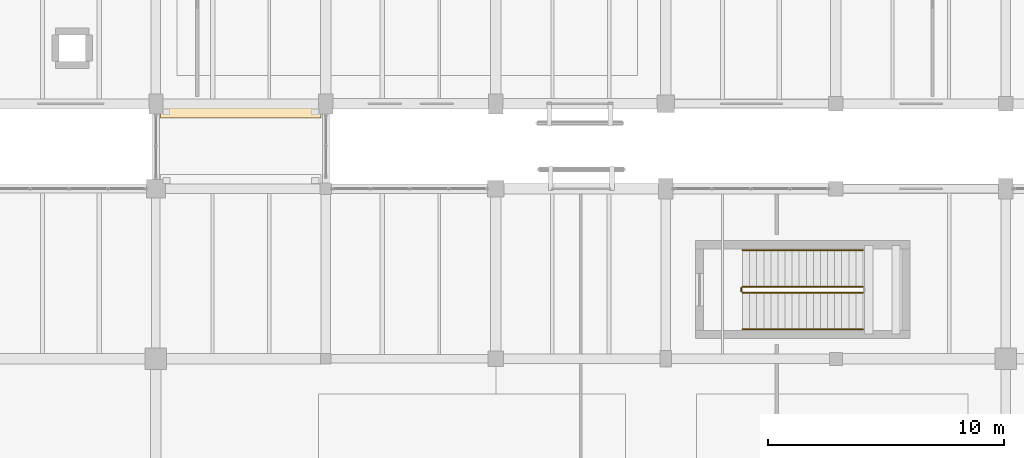
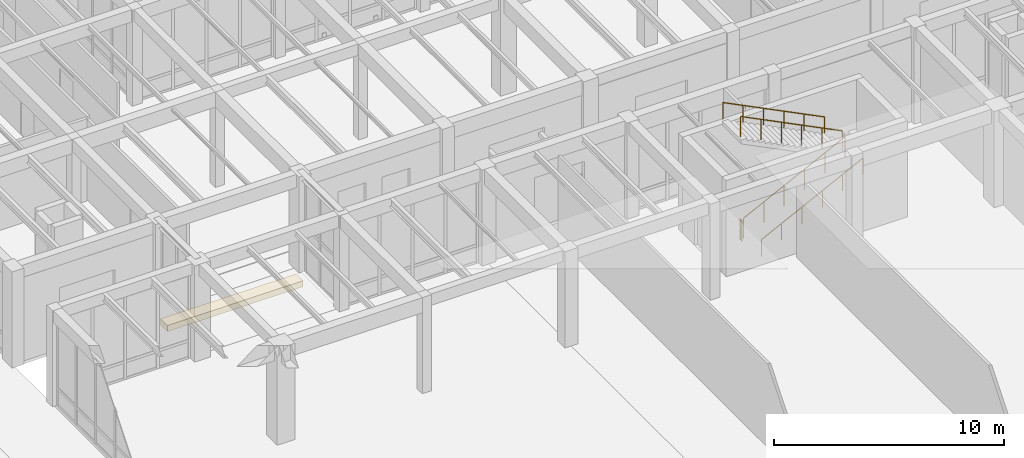
# One storey, part 162 of 169: 5 railings, 1 covering.
"""IFC4 building model written with IfcOpenShell, lengths in metres."""

import ifcopenshell
import ifcopenshell.guid

model = None  # the IFC model being written
_history = None  # IfcOwnerHistory: only IFC2X3 demands one
_inside = {}  # id of a spatial element -> (the spatial element, [elements in it])
_under = {}  # id of a project, library or spatial element -> (it, [spatial elements below it])
_declared = {}  # id of a project -> (the project, [libraries it declares])
_typed = {}  # id of a type object -> (the type object, [elements of that type])
_made_of = {}  # id of a material, layer set ... -> (it, [elements and type objects made of it])


def new_model(schema):
    """Start an empty IFC model of exactly this schema.

    Asked for "IFC4X3", IfcOpenShell would pick the latest addendum, in which some entities
    have other attributes; the version numbers below select the first issue.
    IFC2X3 requires an IfcOwnerHistory on every rooted entity: one is made here for all.
    """
    global model, _history
    if schema == "IFC4X3":
        model = ifcopenshell.file(schema_version=(4, 3, 0, 0))
    else:
        model = ifcopenshell.file(schema=schema)
    _inside.clear()
    _under.clear()
    _declared.clear()
    _typed.clear()
    _made_of.clear()
    _history = None
    if model.schema == "IFC2X3":
        org = make("IfcOrganization", Name="unknown")
        user = make(
            "IfcPersonAndOrganization",
            ThePerson=make("IfcPerson", FamilyName="unknown"),
            TheOrganization=org,
        )
        app = make(
            "IfcApplication",
            ApplicationDeveloper=org,
            Version="unknown",
            ApplicationFullName="unknown",
            ApplicationIdentifier="unknown",
        )
        _history = make(
            "IfcOwnerHistory",
            OwningUser=user,
            OwningApplication=app,
            ChangeAction="ADDED",
            CreationDate=0,
        )
    return model


def make(cls, **values):
    """One entity of the class cls with the attributes given. An attribute that is None is left unset."""
    return model.create_entity(
        cls, **{name: value for name, value in values.items() if value is not None}
    )


def rooted(cls, **values):
    """An entity with a GlobalId (a new one), such as an element, a storey or a relation."""
    return make(cls, GlobalId=ifcopenshell.guid.new(), OwnerHistory=_history, **values)


def si_unit(unit_type, name, prefix=None):
    """IfcSIUnit, for example si_unit("LENGTHUNIT", "METRE", prefix="MILLI")."""
    return make("IfcSIUnit", UnitType=unit_type, Prefix=prefix, Name=name)


def assignment(units):
    """IfcUnitAssignment: the units of a project."""
    return None if units is None else make("IfcUnitAssignment", Units=units)


def point(xyz):
    """IfcCartesianPoint."""
    return None if xyz is None else make("IfcCartesianPoint", Coordinates=xyz)


def direction(xyz):
    """IfcDirection."""
    return None if xyz is None else make("IfcDirection", DirectionRatios=xyz)


def frame(location, z_axis=None, x_axis=None):
    """IfcAxis2Placement3D, a coordinate frame: its origin and axes. An axis left out is left unset."""
    return make(
        "IfcAxis2Placement3D",
        Location=point(location),
        Axis=direction(z_axis),
        RefDirection=direction(x_axis),
    )


def frame_2d(location, x_axis=None):
    """IfcAxis2Placement2D, a coordinate frame in the plane: its origin and x axis."""
    return make(
        "IfcAxis2Placement2D", Location=point(location), RefDirection=direction(x_axis)
    )


def origin():
    """The frame at (0, 0, 0) with its axes left unset."""
    return frame((0.0, 0.0, 0.0))


def origin_2d():
    """The frame at (0, 0) in the plane with its x axis left unset."""
    return frame_2d((0.0, 0.0))


def place(relative_to, where):
    """IfcLocalPlacement: puts the frame where relative to a parent placement (None: the world)."""
    return make(
        "IfcLocalPlacement", PlacementRelTo=relative_to, RelativePlacement=where
    )


def context(
    kind, dimensions, precision=None, world=None, true_north=None, identifier=None
):
    """IfcGeometricRepresentationContext, for example the 3D "Model" context."""
    return make(
        "IfcGeometricRepresentationContext",
        ContextIdentifier=identifier,
        ContextType=kind,
        CoordinateSpaceDimension=dimensions,
        Precision=precision,
        WorldCoordinateSystem=world,
        TrueNorth=true_north,
    )


def subcontext(parent, identifier, kind, view, scale=None):
    """IfcGeometricRepresentationSubContext, for example "Body" below "Model"."""
    return make(
        "IfcGeometricRepresentationSubContext",
        ContextIdentifier=identifier,
        ContextType=kind,
        ParentContext=parent,
        TargetScale=scale,
        TargetView=view,
    )


def project(units=None, contexts=None):
    """IfcProject with its units and contexts."""
    return rooted(
        "IfcProject",
        Name="project",
        RepresentationContexts=contexts,
        UnitsInContext=assignment(units),
    )


def spatial(cls, under=None, at=None, **own):
    """A site, building, storey or space (cls), placed at a placement, below another one or the project."""
    s = rooted(cls, ObjectPlacement=at, **own)
    if under is not None:
        _under.setdefault(under.id(), (under, []))[1].append(s)
    return s


def polyline(points):
    """IfcPolyline through the points."""
    return make("IfcPolyline", Points=[point(p) for p in points])


def profile(cls, at=None, kind="AREA", **sizes):
    """A parametric profile (cls). Its sizes go by their IFC names, for example OverallWidth=200.0."""
    return make(cls, ProfileType=kind, Position=at, **sizes)


def circle(**sizes):
    """IfcCircleProfileDef."""
    return profile("IfcCircleProfileDef", **sizes)


def outline(outer, holes=None, kind="AREA"):
    """IfcArbitraryClosedProfileDef: a profile drawn as a closed curve; with holes, ...WithVoids."""
    if holes is None:
        return make("IfcArbitraryClosedProfileDef", ProfileType=kind, OuterCurve=outer)
    return make(
        "IfcArbitraryProfileDefWithVoids",
        ProfileType=kind,
        OuterCurve=outer,
        InnerCurves=holes,
    )


def extrude(swept, where, along, depth):
    """IfcExtrudedAreaSolid: the profile swept, set in the frame where, extruded along a direction by depth."""
    return make(
        "IfcExtrudedAreaSolid",
        SweptArea=swept,
        Position=where,
        ExtrudedDirection=direction(along),
        Depth=depth,
    )


def shape(context_of_items, identifier, shape_type, items):
    """IfcShapeRepresentation: the items that make up one representation, for example the "Body"."""
    return make(
        "IfcShapeRepresentation",
        ContextOfItems=context_of_items,
        RepresentationIdentifier=identifier,
        RepresentationType=shape_type,
        Items=items,
    )


def material(Name=None, Category=None):
    """IfcMaterial."""
    return make("IfcMaterial", Name=Name, Category=Category)


def layer(
    of_material, thickness, ventilated=None, Name=None, Category=None, Priority=None
):
    """IfcMaterialLayer: one layer of a wall or slab, of a material (None: an air gap)."""
    return make(
        "IfcMaterialLayer",
        Material=of_material,
        LayerThickness=thickness,
        IsVentilated=ventilated,
        Name=Name,
        Category=Category,
        Priority=Priority,
    )


def layer_set(layers, Name=None):
    """IfcMaterialLayerSet."""
    return make("IfcMaterialLayerSet", MaterialLayers=layers, LayerSetName=Name)


def made_of(thing, what):
    """Note that an element or type object is made of a material, layer set ...; save() writes the relation."""
    if what is not None:
        _made_of.setdefault(what.id(), (what, []))[1].append(thing)
    return thing


def type_object(cls, material=None, **own):
    """A type object (cls), such as IfcWallType, which elements share."""
    return made_of(rooted(cls, **own), material)


def element(
    cls,
    number,
    at=None,
    inside=None,
    cuts=None,
    type_object=None,
    material=None,
    context=None,
    identifier="Body",
    shape_type=None,
    held_by="IfcProductDefinitionShape",
    body=None,
    shapes=None,
    **own,
):
    """One element of the class cls, such as IfcWall. Its Tag is "e" and its number.

    at: its placement. inside: the storey or other place that contains it. cuts: it is an
    opening in that element (IfcRelVoidsElement). A single representation is given by context,
    identifier, shape_type and body (its items); several are given by shapes. held_by: the class
    of the entity that holds the representations. save() writes the other relations.
    """
    e = rooted(cls, Tag="e%d" % number, ObjectPlacement=at, **own)
    if body is not None:
        shapes = [shape(context, identifier, shape_type, body)]
    if shapes is not None:
        e.Representation = make(held_by, Representations=shapes)
    if inside is not None:
        _inside.setdefault(inside.id(), (inside, []))[1].append(e)
    if cuts is not None:
        rooted(
            "IfcRelVoidsElement", RelatingBuildingElement=cuts, RelatedOpeningElement=e
        )
    if type_object is not None:
        _typed.setdefault(type_object.id(), (type_object, []))[1].append(e)
    return made_of(e, material)


def aggregate(whole, parts):
    """IfcRelAggregates: a whole, such as a stair, and the parts it consists of."""
    return rooted("IfcRelAggregates", RelatingObject=whole, RelatedObjects=parts)


def save(model, path):
    """Write the relations noted so far, then the file.

    IfcRelAggregates (storeys below a building ...), IfcRelContainedInSpatialStructure (elements
    in a storey), IfcRelDefinesByType, IfcRelAssociatesMaterial and IfcRelDeclares: one each for
    every whole, place, type object, material and project.
    """
    for whole, parts in _under.values():
        aggregate(whole, parts)
    for where, things in _inside.values():
        rooted(
            "IfcRelContainedInSpatialStructure",
            RelatedElements=things,
            RelatingStructure=where,
        )
    for kind, things in _typed.values():
        rooted("IfcRelDefinesByType", RelatedObjects=things, RelatingType=kind)
    for what, things in _made_of.values():
        rooted("IfcRelAssociatesMaterial", RelatedObjects=things, RelatingMaterial=what)
    for by, libraries in _declared.values():
        rooted("IfcRelDeclares", RelatingContext=by, RelatedDefinitions=libraries)
    model.write(path)


model = new_model("IFC4")

# Units and contexts
model_context = context("Model", 3, precision=1e-05, world=origin(), true_north=direction((0.0, 1.0)))
body_context = subcontext(model_context, "Body", "Model", "MODEL_VIEW")
ifc_project = project(units=[si_unit("LENGTHUNIT", "METRE"), si_unit("AREAUNIT", "SQUARE_METRE"), si_unit("VOLUMEUNIT", "CUBIC_METRE"), si_unit("PLANEANGLEUNIT", "RADIAN"), si_unit("MASSUNIT", "GRAM", prefix="KILO")], contexts=[model_context])

# Site, building, storey
site_placement = place(None, origin())
site = spatial("IfcSite", under=ifc_project, at=site_placement, CompositionType="ELEMENT")
building_placement = place(site_placement, origin())
building = spatial("IfcBuilding", under=site, at=building_placement, Name="Mazaris Harbour Polytechnic", CompositionType="ELEMENT")
storey_placement = place(building_placement, origin())
storey = spatial("IfcBuildingStorey", under=building, at=storey_placement, Name="L00", CompositionType="ELEMENT", Elevation=0.0)

# Covering
ifc_material_1 = material(Name="Concrete C40/50", Category="concrete")
ifc_layer = layer(ifc_material_1, 0.320068359375, Name="Concrete C40/50")
ifc_layer_set = layer_set([ifc_layer], Name="Concrete C40/50")
covering_type = type_object("IfcCoveringType", Name="Bridge Bearing Corbel 600 Exterior", PredefinedType="CLADDING", material=ifc_layer_set)
covering_placement = place(storey_placement, frame((0.0, 0.0, -0.64990234375)))
element("IfcCovering", 1, at=covering_placement, inside=storey, type_object=covering_type, Name="PB-NE L00 600mm Bridge Bearing Seat Corbel N", PredefinedType="CLADDING", context=body_context, shape_type="SweptSolid", body=[
    extrude(outline(polyline([(129.800048828125, 46.199951171875), (136.60009765625, 46.199951171875), (136.60009765625, 46.800048828125), (129.800048828125, 46.800048828125), (129.800048828125, 46.199951171875)])), origin(), (0.0, 0.0, 1.0), 0.31982421875),
])

# Railings
ifc_material_2 = material(Name="Stainless Steel S355", Category="steel")
railing_type_1 = type_object("IfcRailingType", Name="Stair Wall Handrail 900", PredefinedType="HANDRAIL", material=ifc_material_2)
railing_1_placement = place(storey_placement, frame((154.449951171875, 37.25, 0.14990234375)))
element("IfcRailing", 2, at=railing_1_placement, inside=storey, type_object=railing_type_1, Name="L00 ST04 stair handrail 1", PredefinedType="HANDRAIL", context=body_context, shape_type="SweptSolid", body=[
    extrude(circle(Radius=0.02392578125, at=origin_2d()), frame((0.0, 0.0, 0.8759765625), z_axis=(0.894427191, 0.0, 0.4472135955), x_axis=(0.0, 1.0, 0.0)), (0.0, 0.0, 1.0), 5.7021484375),
    extrude(circle(Radius=0.02099609375, at=origin_2d()), origin(), (0.0, 0.0, 1.0), 0.851806640625),
    extrude(circle(Radius=0.02099609375, at=origin_2d()), frame((1.02001953125, 0.0, 0.510009765625)), (0.0, 0.0, 1.0), 0.851806640625),
    extrude(circle(Radius=0.02099609375, at=origin_2d()), frame((2.0400390625, 0.0, 1.02001953125)), (0.0, 0.0, 1.0), 0.851806640625),
    extrude(circle(Radius=0.02099609375, at=origin_2d()), frame((3.06005859375, 0.0, 1.530029296875)), (0.0, 0.0, 1.0), 0.851806640625),
    extrude(circle(Radius=0.02099609375, at=origin_2d()), frame((4.080078125, 0.0, 2.0400390625)), (0.0, 0.0, 1.0), 0.851806640625),
    extrude(circle(Radius=0.02099609375, at=origin_2d()), frame((5.10009765625, 0.0, 2.550048828125)), (0.0, 0.0, 1.0), 0.851806640625),
])
railing_2_placement = place(storey_placement, frame((159.550048828125, 40.60009765625, 2.85009765625)))
element("IfcRailing", 3, at=railing_2_placement, inside=storey, type_object=railing_type_1, Name="L00 ST04 stair handrail 2", PredefinedType="HANDRAIL", context=body_context, shape_type="SweptSolid", body=[
    extrude(circle(Radius=0.02392578125, at=origin_2d()), frame((0.0, 0.0, 0.8759765625), z_axis=(-0.89444431709, 0.0, 0.44717934168), x_axis=(0.0, -1.0, 0.0)), (0.0, 0.0, 1.0), 5.701904296875),
    extrude(circle(Radius=0.02099609375, at=origin_2d()), origin(), (0.0, 0.0, 1.0), 0.851806640625),
    extrude(circle(Radius=0.02099609375, at=origin_2d()), frame((-1.02001953125, 0.0, 0.510009765625)), (0.0, 0.0, 1.0), 0.851806640625),
    extrude(circle(Radius=0.02099609375, at=origin_2d()), frame((-2.0400390625, 0.0, 1.02001953125)), (0.0, 0.0, 1.0), 0.851806640625),
    extrude(circle(Radius=0.02099609375, at=origin_2d()), frame((-3.06005859375, 0.0, 1.52978515625)), (0.0, 0.0, 1.0), 0.851806640625),
    extrude(circle(Radius=0.02099609375, at=origin_2d()), frame((-4.080078125, 0.0, 2.039794921875)), (0.0, 0.0, 1.0), 0.851806640625),
    extrude(circle(Radius=0.02099609375, at=origin_2d()), frame((-5.10009765625, 0.0, 2.5498046875)), (0.0, 0.0, 1.0), 0.851806640625),
])
ifc_material_3 = material(Name="Steel S355", Category="steel")
railing_type_2 = type_object("IfcRailingType", Name="Stair Well Guardrail 1100", PredefinedType="GUARDRAIL", material=ifc_material_3)
railing_3_placement = place(storey_placement, frame((154.449951171875, 38.800048828125, 0.14990234375)))
element("IfcRailing", 4, at=railing_3_placement, inside=storey, type_object=railing_type_2, Name="L00 ST04 stair guard 1", PredefinedType="GUARDRAIL", context=body_context, shape_type="SweptSolid", body=[
    extrude(circle(Radius=0.02392578125, at=origin_2d()), frame((0.0, 0.0, 1.076171875), z_axis=(0.894427191, 0.0, 0.4472135955), x_axis=(0.0, 1.0, 0.0)), (0.0, 0.0, 1.0), 5.7021484375),
    extrude(circle(Radius=0.02099609375, at=origin_2d()), origin(), (0.0, 0.0, 1.0), 1.052001953125),
    extrude(circle(Radius=0.02099609375, at=origin_2d()), frame((1.02001953125, 0.0, 0.510009765625)), (0.0, 0.0, 1.0), 1.052001953125),
    extrude(circle(Radius=0.02099609375, at=origin_2d()), frame((2.0400390625, 0.0, 1.02001953125)), (0.0, 0.0, 1.0), 1.052001953125),
    extrude(circle(Radius=0.02099609375, at=origin_2d()), frame((3.06005859375, 0.0, 1.530029296875)), (0.0, 0.0, 1.0), 1.052001953125),
    extrude(circle(Radius=0.02099609375, at=origin_2d()), frame((4.080078125, 0.0, 2.0400390625)), (0.0, 0.0, 1.0), 1.052001953125),
    extrude(circle(Radius=0.02099609375, at=origin_2d()), frame((5.10009765625, 0.0, 2.550048828125)), (0.0, 0.0, 1.0), 1.052001953125),
])
railing_4_placement = place(storey_placement, frame((159.550048828125, 39.050048828125, 2.85009765625)))
element("IfcRailing", 5, at=railing_4_placement, inside=storey, type_object=railing_type_2, Name="L00 ST04 stair guard 3", PredefinedType="GUARDRAIL", context=body_context, shape_type="SweptSolid", body=[
    extrude(circle(Radius=0.02392578125, at=origin_2d()), frame((0.0, 0.0, 1.076171875), z_axis=(-0.89444431709, 0.0, 0.44717934168), x_axis=(0.0, -1.0, 0.0)), (0.0, 0.0, 1.0), 5.701904296875),
    extrude(circle(Radius=0.02099609375, at=origin_2d()), origin(), (0.0, 0.0, 1.0), 1.052001953125),
    extrude(circle(Radius=0.02099609375, at=origin_2d()), frame((-1.02001953125, 0.0, 0.510009765625)), (0.0, 0.0, 1.0), 1.052001953125),
    extrude(circle(Radius=0.02099609375, at=origin_2d()), frame((-2.0400390625, 0.0, 1.02001953125)), (0.0, 0.0, 1.0), 1.052001953125),
    extrude(circle(Radius=0.02099609375, at=origin_2d()), frame((-3.06005859375, 0.0, 1.52978515625)), (0.0, 0.0, 1.0), 1.052001953125),
    extrude(circle(Radius=0.02099609375, at=origin_2d()), frame((-4.080078125, 0.0, 2.039794921875)), (0.0, 0.0, 1.0), 1.052001953125),
    extrude(circle(Radius=0.02099609375, at=origin_2d()), frame((-5.10009765625, 0.0, 2.5498046875)), (0.0, 0.0, 1.0), 1.052001953125),
])
railing_5_placement = place(storey_placement, frame((154.39990234375, 38.85009765625, 0.0)))
element("IfcRailing", 6, at=railing_5_placement, inside=storey, type_object=railing_type_2, Name="L00 ST04 stair guard 4", PredefinedType="GUARDRAIL", context=body_context, shape_type="SweptSolid", body=[
    extrude(circle(Radius=0.02392578125, at=origin_2d()), frame((0.0, 0.0, 1.076171875), z_axis=(0.0, 1.0, 0.0), x_axis=(-1.0, 0.0, 0.0)), (0.0, 0.0, 1.0), 0.14990234375),
    extrude(circle(Radius=0.02099609375, at=origin_2d()), origin(), (0.0, 0.0, 1.0), 1.052001953125),
    extrude(circle(Radius=0.02099609375, at=origin_2d()), frame((0.0, 0.14990234375, 0.0)), (0.0, 0.0, 1.0), 1.052001953125),
])

save(model, "model.ifc")
